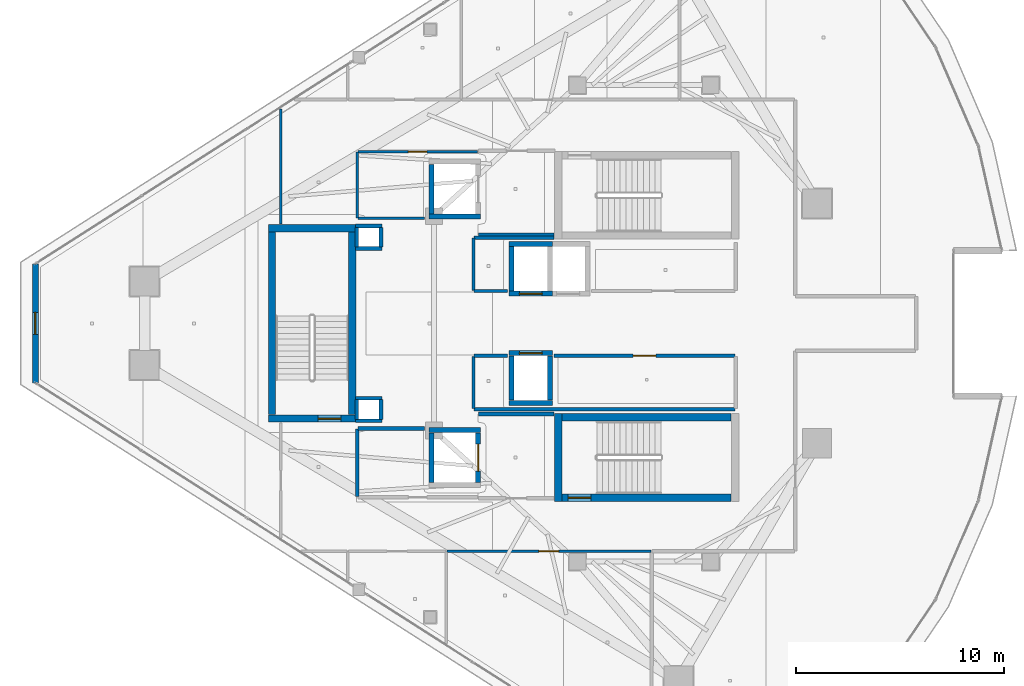
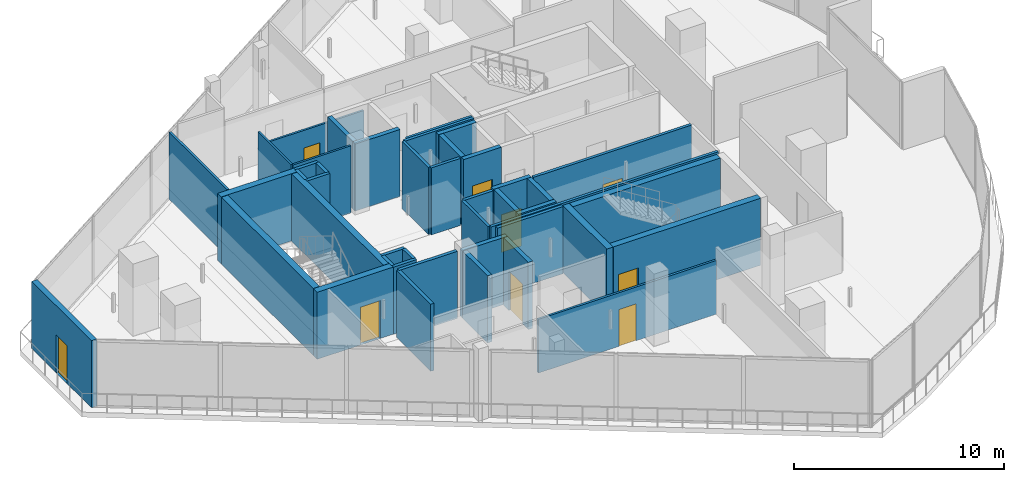
# One storey, part 18 of 25: 44 walls, 9 doors, 9 openings.
"""IFC4 building model written with IfcOpenShell, lengths in metres."""

from ifc_helpers import new_model, si_unit, direction, frame, frame_2d, origin, place, context, subcontext, project, spatial, rectangle, extrude, material, layer, layer_set, type_object, element, fill, save


model = new_model("IFC4")

# Units and contexts
model_context = context("Model", 3, precision=1e-05, world=origin(), true_north=direction((0.0, 1.0)))
body_context = subcontext(model_context, "Body", "Model", "MODEL_VIEW")
ifc_project = project(units=[si_unit("LENGTHUNIT", "METRE"), si_unit("AREAUNIT", "SQUARE_METRE"), si_unit("VOLUMEUNIT", "CUBIC_METRE"), si_unit("PLANEANGLEUNIT", "RADIAN"), si_unit("MASSUNIT", "GRAM", prefix="KILO")], contexts=[model_context])

# Site, building, storey
site_placement = place(None, origin())
site = spatial("IfcSite", under=ifc_project, at=site_placement, CompositionType="ELEMENT")
building_placement = place(site_placement, origin())
building = spatial("IfcBuilding", under=site, at=building_placement, Name="Qorvath Tower", CompositionType="ELEMENT")
storey_placement = place(building_placement, frame((0.0, 0.0, 297.60009765625)))
storey = spatial("IfcBuildingStorey", under=building, at=storey_placement, Name="L69", CompositionType="ELEMENT", Elevation=297.60009765625)

# Walls
ifc_material_1 = material(Name="Gypsum shaftliner on steel studs", Category="steel")
ifc_layer_1 = layer(ifc_material_1, 0.179931640625)
ifc_layer_set_1 = layer_set([ifc_layer_1], Name="FW-LOBBY")
wall_type_1 = type_object("IfcWallType", Name="FW-LOBBY", PredefinedType="PARTITIONING", material=ifc_layer_set_1)
for number, where, z_axis, x_axis, name in (
    (1, (-32.989990234375, 3.594970703125, 0.0), (0.0, 0.0, 1.0), (-1.0, 0.0, 0.0), "MEP Riser Shaft Enclosure Wall N-L69-S"),
    (2, (-34.260009765625, 4.675048828125, 0.0), (0.0, 0.0, 1.0), (1.0, 0.0, 0.0), "MEP Riser Shaft Enclosure Wall N-L69-N"),
):
    element("IfcWall", number, at=place(storey_placement, frame(where, z_axis=z_axis, x_axis=x_axis)), inside=storey, type_object=wall_type_1, Name=name, PredefinedType="PARTITIONING", context=body_context, shape_type="SweptSolid", body=[
        extrude(rectangle(XDim=1.27001953125, YDim=0.179931640625, at=frame_2d((0.635009765625, 0.0))), origin(), (0.0, 0.0, 1.0), 3.909912109375),
    ])
for number, where, z_axis, x_axis, name in (
    (3, (-34.205078125, 3.659912109375, 0.0), (0.0, 0.0, 1.0), (0.0, 1.0, 0.0), "MEP Riser Shaft Enclosure Wall N-L69-W"),
    (4, (-33.044921875, 4.610107421875, 0.0), (0.0, 0.0, 1.0), (0.0, -1.0, 0.0), "MEP Riser Shaft Enclosure Wall N-L69-E"),
):
    element("IfcWall", number, at=place(storey_placement, frame(where, z_axis=z_axis, x_axis=x_axis)), inside=storey, type_object=wall_type_1, Name=name, PredefinedType="PARTITIONING", context=body_context, shape_type="SweptSolid", body=[
        extrude(rectangle(XDim=0.9501953125, YDim=0.179931640625, at=frame_2d((0.47509765625, 0.0))), origin(), (0.0, 0.0, 1.0), 3.909912109375),
    ])
for number, where, z_axis, x_axis, name in (
    (5, (-32.989990234375, -4.675048828125, 0.0), (0.0, 0.0, 1.0), (-1.0, 0.0, 0.0), "MEP Riser Shaft Enclosure Wall S-L69-S"),
    (6, (-34.260009765625, -3.594970703125, 0.0), (0.0, 0.0, 1.0), (1.0, 0.0, 0.0), "MEP Riser Shaft Enclosure Wall S-L69-N"),
):
    element("IfcWall", number, at=place(storey_placement, frame(where, z_axis=z_axis, x_axis=x_axis)), inside=storey, type_object=wall_type_1, Name=name, PredefinedType="PARTITIONING", context=body_context, shape_type="SweptSolid", body=[
        extrude(rectangle(XDim=1.27001953125, YDim=0.179931640625, at=frame_2d((0.635009765625, 0.0))), origin(), (0.0, 0.0, 1.0), 3.909912109375),
    ])
for number, where, z_axis, x_axis, name in (
    (7, (-34.205078125, -4.610107421875, 0.0), (0.0, 0.0, 1.0), (0.0, 1.0, 0.0), "MEP Riser Shaft Enclosure Wall S-L69-W"),
    (8, (-33.044921875, -3.659912109375, 0.0), (0.0, 0.0, 1.0), (0.0, -1.0, 0.0), "MEP Riser Shaft Enclosure Wall S-L69-E"),
):
    element("IfcWall", number, at=place(storey_placement, frame(where, z_axis=z_axis, x_axis=x_axis)), inside=storey, type_object=wall_type_1, Name=name, PredefinedType="PARTITIONING", context=body_context, shape_type="SweptSolid", body=[
        extrude(rectangle(XDim=0.9501953125, YDim=0.179931640625, at=frame_2d((0.47509765625, 0.0))), origin(), (0.0, 0.0, 1.0), 3.909912109375),
    ])
for number, where, z_axis, x_axis, name in (
    (9, (-28.35498046875, 4.25, 0.0), (0.0, 0.0, 1.0), (1.0, 0.0, 0.0), "Interior Partition IW-T1-L69-001"),
    (10, (-24.73291015625, -4.35009765625, 0.0), (0.0, 0.0, 1.0), (-1.0, 0.0, 0.0), "Interior Partition IW-T1-L69-004"),
):
    element("IfcWall", number, at=place(storey_placement, frame(where, z_axis=z_axis, x_axis=x_axis)), inside=storey, type_object=wall_type_1, Name=name, PredefinedType="PARTITIONING", context=body_context, shape_type="SweptSolid", body=[
        extrude(rectangle(XDim=3.6220703125, YDim=0.179931640625, at=frame_2d((1.81103515625, 0.0))), origin(), (0.0, 0.0, 1.0), 3.909912109375),
    ])
wall_1_placement = place(storey_placement, frame((-30.965087890625, -5.050048828125, 0.0), z_axis=(0.0, 0.0, 1.0), x_axis=(-1.0, 0.0, 0.0)))
element("IfcWall", 11, at=wall_1_placement, inside=storey, type_object=wall_type_1, Name="Interior Partition IW-T1-L69-018", PredefinedType="PARTITIONING", context=body_context, shape_type="SweptSolid", body=[
    extrude(rectangle(XDim=3.189697265625, YDim=0.179931640625, at=frame_2d((1.5947265625, 0.0))), origin(), (0.0, 0.0, 1.0), 3.909912109375),
])
wall_2_placement = place(storey_placement, frame((-34.179931640625, -5.074951171875, 0.0), z_axis=(0.0, 0.0, 1.0), x_axis=(0.0, -1.0, 0.0)))
element("IfcWall", 12, at=wall_2_placement, inside=storey, type_object=wall_type_1, Name="Interior Partition IW-T1-L69-019", PredefinedType="PARTITIONING", context=body_context, shape_type="SweptSolid", body=[
    extrude(rectangle(XDim=3.250244140625, YDim=0.179931640625, at=frame_2d((1.625, 0.0))), origin(), (0.0, 0.0, 1.0), 3.909912109375),
])
ifc_material_2 = material(Name="Double acoustic gypsum board on steel studs", Category="steel")
ifc_layer_2 = layer(ifc_material_2, 0.159912109375)
ifc_layer_set_2 = layer_set([ifc_layer_2], Name="IW-ACOUSTIC-160")
wall_type_2 = type_object("IfcWallType", Name="IW-ACOUSTIC-160", PredefinedType="PARTITIONING", material=ifc_layer_set_2)
wall_3_placement = place(storey_placement, frame((-28.60009765625, 4.09521484375, 0.0), z_axis=(0.0, 0.0, 1.0), x_axis=(0.0, -1.0, 0.0)))
element("IfcWall", 13, at=wall_3_placement, inside=storey, type_object=wall_type_2, Name="Interior Partition IW-T1-L69-008", PredefinedType="PARTITIONING", context=body_context, shape_type="SweptSolid", body=[
    extrude(rectangle(XDim=2.510009765625, YDim=0.159912109375, at=frame_2d((1.2548828125, 0.0))), origin(), (0.0, 0.0, 1.0), 3.909912109375),
])
wall_4_placement = place(storey_placement, frame((-28.5751953125, 1.56005859375, 0.0), z_axis=(0.0, 0.0, 1.0), x_axis=(1.0, 0.0, 0.0)))
element("IfcWall", 14, at=wall_4_placement, inside=storey, type_object=wall_type_2, Name="Interior Partition IW-T1-L69-009", PredefinedType="PARTITIONING", context=body_context, shape_type="SweptSolid", body=[
    extrude(rectangle(XDim=1.609130859375, YDim=0.159912109375, at=frame_2d((0.8046875, 0.0))), origin(), (0.0, 0.0, 1.0), 3.909912109375),
])
wall_5_placement = place(storey_placement, frame((-24.73291015625, 4.1201171875, 0.0), z_axis=(0.0, 0.0, 1.0), x_axis=(-1.0, 0.0, 0.0)))
element("IfcWall", 15, at=wall_5_placement, inside=storey, type_object=wall_type_2, Name="Interior Partition IW-T1-L69-012", PredefinedType="PARTITIONING", context=body_context, shape_type="SweptSolid", body=[
    extrude(rectangle(XDim=3.84228515625, YDim=0.159912109375, at=frame_2d((1.921142578125, 0.0))), origin(), (0.0, 0.0, 1.0), 3.909912109375),
])
wall_6_placement = place(storey_placement, frame((-28.60009765625, -1.585205078125, 0.0), z_axis=(0.0, 0.0, 1.0), x_axis=(0.0, -1.0, 0.0)))
element("IfcWall", 16, at=wall_6_placement, inside=storey, type_object=wall_type_2, Name="Interior Partition IW-T1-L69-013", PredefinedType="PARTITIONING", context=body_context, shape_type="SweptSolid", body=[
    extrude(rectangle(XDim=2.510009765625, YDim=0.159912109375, at=frame_2d((1.2548828125, 0.0))), origin(), (0.0, 0.0, 1.0), 3.909912109375),
])
wall_7_placement = place(storey_placement, frame((-28.5751953125, -4.1201171875, 0.0), z_axis=(0.0, 0.0, 1.0), x_axis=(1.0, 0.0, 0.0)))
element("IfcWall", 17, at=wall_7_placement, inside=storey, type_object=wall_type_2, Name="Interior Partition IW-T1-L69-014", PredefinedType="PARTITIONING", context=body_context, shape_type="SweptSolid", body=[
    extrude(rectangle(XDim=12.55029296875, YDim=0.159912109375, at=frame_2d((6.275146484375, 0.0))), origin(), (0.0, 0.0, 1.0), 3.909912109375),
])

# Wall, opening, door
wall_8_placement = place(storey_placement, frame((-16.02490234375, -1.56005859375, 0.0), z_axis=(0.0, 0.0, 1.0), x_axis=(-1.0, 0.0, 0.0)))
wall_8 = element("IfcWall", 18, at=wall_8_placement, inside=storey, type_object=wall_type_2, Name="Interior Partition IW-T1-L69-016", PredefinedType="PARTITIONING", context=body_context, shape_type="SweptSolid", body=[
    extrude(rectangle(XDim=8.708984375, YDim=0.159912109375, at=frame_2d((4.3544921875, 0.0))), origin(), (0.0, 0.0, 1.0), 3.909912109375),
])
opening_1_placement = place(wall_8_placement, frame((3.804443359375, 0.0, 0.0)))
opening_1 = element("IfcOpeningElement", 19, at=opening_1_placement, cuts=wall_8, Name="Opening D-T1-L69-05", PredefinedType="OPENING", context=body_context, shape_type="SweptSolid", body=[
    extrude(rectangle(XDim=1.10009765625, YDim=2.14990234375, at=frame_2d((0.550048828125, 1.074951171875))), frame((0.0, 0.08984375, 0.0), z_axis=(0.0, -1.0, 0.0), x_axis=(1.0, 0.0, 0.0)), (0.0, 0.0, 1.0), 0.179931640625),
])
ifc_material_3 = material(Name="Anodised aluminium acoustic framed glass", Category="aluminium")
door_type_1 = type_object("IfcDoorType", Name="D-03", OperationType="NOTDEFINED", PredefinedType="DOOR", material=ifc_material_3)
door_1_placement = place(opening_1_placement, origin())
door_1 = element("IfcDoor", 20, at=door_1_placement, inside=storey, type_object=door_type_1, Name="L69-RCS South Executive Boardroom Door D-T1-L69-05", OperationType="SINGLE_SWING_RIGHT", OverallHeight=2.14990234375, OverallWidth=1.10009765625, PredefinedType="DOOR", context=body_context, shape_type="SweptSolid", body=[
    extrude(rectangle(XDim=1.10009765625, YDim=2.14990234375, at=frame_2d((0.550048828125, 1.074951171875))), frame((0.0, 0.02490234375, 0.0), z_axis=(0.0, -1.0, 0.0), x_axis=(1.0, 0.0, 0.0)), (0.0, 0.0, 1.0), 0.050048828125),
])
fill(opening_1, door_1)

# Walls
wall_9_placement = place(storey_placement, frame((-26.966064453125, -1.56005859375, 0.0), z_axis=(0.0, 0.0, 1.0), x_axis=(-1.0, 0.0, 0.0)))
element("IfcWall", 21, at=wall_9_placement, inside=storey, type_object=wall_type_2, Name="Interior Partition IW-T1-L69-017", PredefinedType="PARTITIONING", context=body_context, shape_type="SweptSolid", body=[
    extrude(rectangle(XDim=1.609130859375, YDim=0.159912109375, at=frame_2d((0.8046875, 0.0))), origin(), (0.0, 0.0, 1.0), 3.909912109375),
])
ifc_material_4 = material(Name="Gypsum board on metal studs with mineral wool", Category="gypsum")
ifc_layer_3 = layer(ifc_material_4, 0.125)
ifc_layer_set_3 = layer_set([ifc_layer_3], Name="IW-PART-125")
wall_type_3 = type_object("IfcWallType", Name="IW-PART-125", PredefinedType="PARTITIONING", material=ifc_layer_set_3)
wall_10_placement = place(storey_placement, frame((-37.85791015625, 4.783203125, 0.0), z_axis=(0.0, 0.0, 1.0), x_axis=(0.0, 1.0, 0.0)))
element("IfcWall", 22, at=wall_10_placement, inside=storey, type_object=wall_type_3, Name="Interior Partition IW-T1-L69-024", PredefinedType="PARTITIONING", context=body_context, shape_type="SweptSolid", body=[
    extrude(rectangle(XDim=5.5302734375, YDim=0.125, at=frame_2d((2.76513671875, 0.0))), origin(), (0.0, 0.0, 1.0), 3.909912109375),
])

# Wall, opening, door
wall_11_placement = place(storey_placement, frame((-20.072998046875, -10.9580078125, 0.0), z_axis=(0.0, 0.0, 1.0), x_axis=(-1.0, 0.0, 0.0)))
wall_11 = element("IfcWall", 23, at=wall_11_placement, inside=storey, type_object=wall_type_3, Name="Interior Partition IW-T1-L69-042", PredefinedType="PARTITIONING", context=body_context, shape_type="SweptSolid", body=[
    extrude(rectangle(XDim=9.810791015625, YDim=0.125, at=frame_2d((4.9052734375, 0.0))), origin(), (0.0, 0.0, 1.0), 3.1298828125),
])
opening_2_placement = place(wall_11_placement, frame((4.430419921875, 0.0, 0.0)))
opening_2 = element("IfcOpeningElement", 24, at=opening_2_placement, cuts=wall_11, Name="Opening D-T1-L69-12", PredefinedType="OPENING", context=body_context, shape_type="SweptSolid", body=[
    extrude(rectangle(XDim=0.949951171875, YDim=2.14990234375, at=frame_2d((0.47509765625, 1.074951171875))), frame((0.0, 0.072509765625, 0.0), z_axis=(0.0, -1.0, 0.0), x_axis=(1.0, 0.0, 0.0)), (0.0, 0.0, 1.0), 0.14501953125),
])
ifc_material_5 = material(Name="Solid-core American white oak veneer", Category="wood")
door_type_2 = type_object("IfcDoorType", Name="D-01", OperationType="NOTDEFINED", PredefinedType="DOOR", material=ifc_material_5)
door_2_placement = place(opening_2_placement, origin())
door_2 = element("IfcDoor", 25, at=door_2_placement, inside=storey, type_object=door_type_2, Name="L69-06 Executive Support Office Door D-T1-L69-12", OperationType="SINGLE_SWING_LEFT", OverallHeight=2.14990234375, OverallWidth=0.949951171875, PredefinedType="DOOR", context=body_context, shape_type="SweptSolid", body=[
    extrude(rectangle(XDim=0.949951171875, YDim=2.14990234375, at=frame_2d((0.47509765625, 1.074951171875))), frame((0.0, 0.02490234375, 0.0), z_axis=(0.0, -1.0, 0.0), x_axis=(1.0, 0.0, 0.0)), (0.0, 0.0, 1.0), 0.050048828125),
])
fill(opening_2, door_2)

# Walls
ifc_material_6 = material(Name="Moisture-resistant cement board on metal studs", Category="gypsum")
ifc_layer_4 = layer(ifc_material_6, 0.110107421875)
ifc_layer_set_4 = layer_set([ifc_layer_4], Name="IW-WC-110")
wall_type_4 = type_object("IfcWallType", Name="IW-WC-110", PredefinedType="PARTITIONING", material=ifc_layer_set_4)
wall_12_placement = place(storey_placement, frame((-34.179931640625, 8.22509765625, 0.0), z_axis=(0.0, 0.0, 1.0), x_axis=(0.0, -1.0, 0.0)))
element("IfcWall", 26, at=wall_12_placement, inside=storey, type_object=wall_type_4, Name="Interior Partition IW-T1-L69-005", PredefinedType="PARTITIONING", context=body_context, shape_type="SweptSolid", body=[
    extrude(rectangle(XDim=3.150146484375, YDim=0.110107421875, at=frame_2d((1.5751953125, 0.0))), origin(), (0.0, 0.0, 1.0), 3.909912109375),
])
wall_13_placement = place(storey_placement, frame((-34.15478515625, 5.050048828125, 0.0), z_axis=(0.0, 0.0, 1.0), x_axis=(1.0, 0.0, 0.0)))
element("IfcWall", 27, at=wall_13_placement, inside=storey, type_object=wall_type_4, Name="Interior Partition IW-T1-L69-006", PredefinedType="PARTITIONING", context=body_context, shape_type="SweptSolid", body=[
    extrude(rectangle(XDim=3.189697265625, YDim=0.110107421875, at=frame_2d((1.5947265625, 0.0))), origin(), (0.0, 0.0, 1.0), 3.909912109375),
])

# Wall, opening, door
wall_14_placement = place(storey_placement, frame((-28.412841796875, 8.25, 0.0), z_axis=(0.0, 0.0, 1.0), x_axis=(-1.0, 0.0, 0.0)))
wall_14 = element("IfcWall", 28, at=wall_14_placement, inside=storey, type_object=wall_type_4, Name="Interior Partition IW-T1-L69-007", PredefinedType="PARTITIONING", context=body_context, shape_type="SweptSolid", body=[
    extrude(rectangle(XDim=5.741943359375, YDim=0.110107421875, at=frame_2d((2.87109375, 0.0))), origin(), (0.0, 0.0, 1.0), 3.1298828125),
])
opening_3_placement = place(wall_14_placement, frame((2.430908203125, 0.0, 0.0)))
opening_3 = element("IfcOpeningElement", 29, at=opening_3_placement, cuts=wall_14, Name="Opening D-T1-L69-03", PredefinedType="OPENING", context=body_context, shape_type="SweptSolid", body=[
    extrude(rectangle(XDim=0.8798828125, YDim=2.10009765625, at=frame_2d((0.43994140625, 1.050048828125))), frame((0.0, 0.06494140625, 0.0), z_axis=(0.0, -1.0, 0.0), x_axis=(1.0, 0.0, 0.0)), (0.0, 0.0, 1.0), 0.130126953125),
])
ifc_material_7 = material(Name="Solid-core oak with acoustic drop seal", Category="wood")
door_type_3 = type_object("IfcDoorType", Name="D-02", OperationType="NOTDEFINED", PredefinedType="DOOR", material=ifc_material_7)
door_3_placement = place(opening_3_placement, origin())
door_3 = element("IfcDoor", 30, at=door_3_placement, inside=storey, type_object=door_type_3, Name="Accessible WC North L69 Door D-T1-L69-03", OperationType="SINGLE_SWING_RIGHT", OverallHeight=2.10009765625, OverallWidth=0.8798828125, PredefinedType="DOOR", context=body_context, shape_type="SweptSolid", body=[
    extrude(rectangle(XDim=0.8798828125, YDim=2.10009765625, at=frame_2d((0.43994140625, 1.050048828125))), frame((0.0, 0.02490234375, 0.0), z_axis=(0.0, -1.0, 0.0), x_axis=(1.0, 0.0, 0.0)), (0.0, 0.0, 1.0), 0.050048828125),
])
fill(opening_3, door_3)

# Walls
ifc_material_8 = material(Name="Concrete C60/75", Category="concrete")
ifc_layer_5 = layer(ifc_material_8, 0.260009765625)
ifc_layer_set_5 = layer_set([ifc_layer_5], Name="SW-SHAFT")
wall_type_5 = type_object("IfcWallType", Name="SW-SHAFT", PredefinedType="SHEAR", material=ifc_layer_set_5)
wall_15_placement = place(storey_placement, frame((-28.260009765625, 5.1298828125, 0.0), z_axis=(0.0, 0.0, 1.0), x_axis=(-1.0, 0.0, 0.0)))
element("IfcWall", 31, at=wall_15_placement, inside=storey, type_object=wall_type_5, Name="Hoistway Wall FSAE-1 L69 S", PredefinedType="SHEAR", context=body_context, shape_type="SweptSolid", body=[
    extrude(rectangle(XDim=2.47998046875, YDim=0.239990234375, at=frame_2d((1.239990234375, 0.0))), origin(), (0.0, 0.0, 1.0), 3.909912109375),
])
wall_16_placement = place(storey_placement, frame((-30.6201171875, 5.261962890625, 0.0), z_axis=(0.0, 0.0, 1.0), x_axis=(0.0, 1.0, 0.0)))
element("IfcWall", 32, at=wall_16_placement, inside=storey, type_object=wall_type_5, Name="Hoistway Wall FSAE-1 L69 W", PredefinedType="SHEAR", context=body_context, shape_type="SweptSolid", body=[
    extrude(rectangle(XDim=2.3759765625, YDim=0.239990234375, at=frame_2d((1.18798828125, 0.0))), origin(), (0.0, 0.0, 1.0), 3.909912109375),
])
wall_17_placement = place(storey_placement, frame((-30.739990234375, -5.1298828125, 0.0), z_axis=(0.0, 0.0, 1.0), x_axis=(1.0, 0.0, 0.0)))
element("IfcWall", 33, at=wall_17_placement, inside=storey, type_object=wall_type_5, Name="Hoistway Wall FSAE-2 L69 N", PredefinedType="SHEAR", context=body_context, shape_type="SweptSolid", body=[
    extrude(rectangle(XDim=2.47998046875, YDim=0.239990234375, at=frame_2d((1.239990234375, 0.0))), origin(), (0.0, 0.0, 1.0), 3.909912109375),
])
wall_18_placement = place(storey_placement, frame((-30.6201171875, -7.637939453125, 0.0), z_axis=(0.0, 0.0, 1.0), x_axis=(0.0, 1.0, 0.0)))
element("IfcWall", 34, at=wall_18_placement, inside=storey, type_object=wall_type_5, Name="Hoistway Wall FSAE-2 L69 W", PredefinedType="SHEAR", context=body_context, shape_type="SweptSolid", body=[
    extrude(rectangle(XDim=2.3759765625, YDim=0.239990234375, at=frame_2d((1.18798828125, 0.0))), origin(), (0.0, 0.0, 1.0), 3.909912109375),
])

# Wall, opening, door
wall_19_placement = place(storey_placement, frame((-28.3798828125, -5.261962890625, 0.0), z_axis=(0.0, 0.0, 1.0), x_axis=(0.0, -1.0, 0.0)))
wall_19 = element("IfcWall", 35, at=wall_19_placement, inside=storey, type_object=wall_type_5, Name="Hoistway Wall FSAE-2 L69 E", PredefinedType="SHEAR", context=body_context, shape_type="SweptSolid", body=[
    extrude(rectangle(XDim=2.3759765625, YDim=0.239990234375, at=frame_2d((1.18798828125, 0.0))), origin(), (0.0, 0.0, 1.0), 3.909912109375),
])
opening_4_placement = place(wall_19_placement, frame((0.5380859375, 0.0, 0.0)))
opening_4 = element("IfcOpeningElement", 36, at=opening_4_placement, cuts=wall_19, Name="Opening LD-FSAE-2-L69", PredefinedType="OPENING", context=body_context, shape_type="SweptSolid", body=[
    extrude(rectangle(XDim=1.300048828125, YDim=2.300048828125, at=frame_2d((0.64990234375, 1.14990234375))), frame((0.0, 0.1298828125, 0.0), z_axis=(0.0, -1.0, 0.0), x_axis=(1.0, 0.0, 0.0)), (0.0, 0.0, 1.0), 0.260009765625),
])
ifc_material_9 = material(Name="Brushed stainless steel AISI 316", Category="steel")
door_type_4 = type_object("IfcDoorType", Name="LD-02", OperationType="NOTDEFINED", PredefinedType="DOOR", material=ifc_material_9)
door_4_placement = place(opening_4_placement, origin())
door_4 = element("IfcDoor", 37, at=door_4_placement, inside=storey, type_object=door_type_4, Name="Elevator Landing Sliding Door LD-FSAE-2-L69", OperationType="DOUBLE_DOOR_SLIDING", OverallHeight=2.300048828125, OverallWidth=1.300048828125, PredefinedType="DOOR", context=body_context, shape_type="SweptSolid", body=[
    extrude(rectangle(XDim=1.300048828125, YDim=2.300048828125, at=frame_2d((0.64990234375, 1.14990234375))), frame((0.0, 0.02490234375, 0.0), z_axis=(0.0, -1.0, 0.0), x_axis=(1.0, 0.0, 0.0)), (0.0, 0.0, 1.0), 0.050048828125),
])
fill(opening_4, door_4)

wall_20_placement = place(storey_placement, frame((-24.81005859375, 1.429931640625, 0.0), z_axis=(0.0, 0.0, 1.0), x_axis=(-1.0, 0.0, 0.0)))
wall_20 = element("IfcWall", 38, at=wall_20_placement, inside=storey, type_object=wall_type_5, Name="Hoistway Wall PH-1 L69 S", PredefinedType="SHEAR", context=body_context, shape_type="SweptSolid", body=[
    extrude(rectangle(XDim=2.079833984375, YDim=0.239990234375, at=frame_2d((1.0400390625, 0.0))), origin(), (0.0, 0.0, 1.0), 3.909912109375),
])
opening_5_placement = place(wall_20_placement, frame((0.489990234375, 0.0, 0.0)))
opening_5 = element("IfcOpeningElement", 39, at=opening_5_placement, cuts=wall_20, Name="Opening LD-PH-1-L69", PredefinedType="OPENING", context=body_context, shape_type="SweptSolid", body=[
    extrude(rectangle(XDim=1.10009765625, YDim=2.199951171875, at=frame_2d((0.550048828125, 1.10009765625))), frame((0.0, 0.1298828125, 0.0), z_axis=(0.0, -1.0, 0.0), x_axis=(1.0, 0.0, 0.0)), (0.0, 0.0, 1.0), 0.260009765625),
])
ifc_material_10 = material(Name="Brushed stainless steel AISI 316", Category="steel")
door_type_5 = type_object("IfcDoorType", Name="LD-01", OperationType="NOTDEFINED", PredefinedType="DOOR", material=ifc_material_10)
door_5_placement = place(opening_5_placement, origin())
door_5 = element("IfcDoor", 40, at=door_5_placement, inside=storey, type_object=door_type_5, Name="Elevator Landing Sliding Door LD-PH-1-L69", OperationType="DOUBLE_DOOR_SLIDING", OverallHeight=2.199951171875, OverallWidth=1.10009765625, PredefinedType="DOOR", context=body_context, shape_type="SweptSolid", body=[
    extrude(rectangle(XDim=1.10009765625, YDim=2.199951171875, at=frame_2d((0.550048828125, 1.10009765625))), frame((0.0, 0.02490234375, 0.0), z_axis=(0.0, -1.0, 0.0), x_axis=(1.0, 0.0, 0.0)), (0.0, 0.0, 1.0), 0.050048828125),
])
fill(opening_5, door_5)

# Walls
wall_21_placement = place(storey_placement, frame((-26.889892578125, 3.820068359375, 0.0), z_axis=(0.0, 0.0, 1.0), x_axis=(1.0, 0.0, 0.0)))
element("IfcWall", 41, at=wall_21_placement, inside=storey, type_object=wall_type_5, Name="Hoistway Wall PH-1 L69 N", PredefinedType="SHEAR", context=body_context, shape_type="SweptSolid", body=[
    extrude(rectangle(XDim=2.079833984375, YDim=0.239990234375, at=frame_2d((1.0400390625, 0.0))), origin(), (0.0, 0.0, 1.0), 3.909912109375),
])
wall_22_placement = place(storey_placement, frame((-26.77001953125, 1.56201171875, 0.0), z_axis=(0.0, 0.0, 1.0), x_axis=(0.0, 1.0, 0.0)))
element("IfcWall", 42, at=wall_22_placement, inside=storey, type_object=wall_type_5, Name="Hoistway Wall PH-1 L69 W", PredefinedType="SHEAR", context=body_context, shape_type="SweptSolid", body=[
    extrude(rectangle(XDim=2.1259765625, YDim=0.239990234375, at=frame_2d((1.06298828125, 0.0))), origin(), (0.0, 0.0, 1.0), 3.909912109375),
])
wall_23_placement = place(storey_placement, frame((-24.81005859375, -3.820068359375, 0.0), z_axis=(0.0, 0.0, 1.0), x_axis=(-1.0, 0.0, 0.0)))
element("IfcWall", 43, at=wall_23_placement, inside=storey, type_object=wall_type_5, Name="Hoistway Wall PH-3 L69 S", PredefinedType="SHEAR", context=body_context, shape_type="SweptSolid", body=[
    extrude(rectangle(XDim=2.079833984375, YDim=0.239990234375, at=frame_2d((1.0400390625, 0.0))), origin(), (0.0, 0.0, 1.0), 3.909912109375),
])

# Wall, opening, door
wall_24_placement = place(storey_placement, frame((-26.889892578125, -1.429931640625, 0.0), z_axis=(0.0, 0.0, 1.0), x_axis=(1.0, 0.0, 0.0)))
wall_24 = element("IfcWall", 44, at=wall_24_placement, inside=storey, type_object=wall_type_5, Name="Hoistway Wall PH-3 L69 N", PredefinedType="SHEAR", context=body_context, shape_type="SweptSolid", body=[
    extrude(rectangle(XDim=2.079833984375, YDim=0.239990234375, at=frame_2d((1.0400390625, 0.0))), origin(), (0.0, 0.0, 1.0), 3.909912109375),
])
opening_6_placement = place(wall_24_placement, frame((0.48974609375, 0.0, 0.0)))
opening_6 = element("IfcOpeningElement", 45, at=opening_6_placement, cuts=wall_24, Name="Opening LD-PH-3-L69", PredefinedType="OPENING", context=body_context, shape_type="SweptSolid", body=[
    extrude(rectangle(XDim=1.10009765625, YDim=2.199951171875, at=frame_2d((0.550048828125, 1.10009765625))), frame((0.0, 0.1298828125, 0.0), z_axis=(0.0, -1.0, 0.0), x_axis=(1.0, 0.0, 0.0)), (0.0, 0.0, 1.0), 0.260009765625),
])
door_6_placement = place(opening_6_placement, origin())
door_6 = element("IfcDoor", 46, at=door_6_placement, inside=storey, type_object=door_type_5, Name="Elevator Landing Sliding Door LD-PH-3-L69", OperationType="DOUBLE_DOOR_SLIDING", OverallHeight=2.199951171875, OverallWidth=1.10009765625, PredefinedType="DOOR", context=body_context, shape_type="SweptSolid", body=[
    extrude(rectangle(XDim=1.10009765625, YDim=2.199951171875, at=frame_2d((0.550048828125, 1.10009765625))), frame((0.0, 0.02490234375, 0.0), z_axis=(0.0, -1.0, 0.0), x_axis=(1.0, 0.0, 0.0)), (0.0, 0.0, 1.0), 0.050048828125),
])
fill(opening_6, door_6)

# Walls
for number, where, z_axis, x_axis, name in (
    (47, (-26.77001953125, -3.68798828125, 0.0), (0.0, 0.0, 1.0), (0.0, 1.0, 0.0), "Hoistway Wall PH-3 L69 W"),
    (48, (-24.929931640625, -1.56201171875, 0.0), (0.0, 0.0, 1.0), (0.0, -1.0, 0.0), "Hoistway Wall PH-3 L69 E"),
):
    element("IfcWall", number, at=place(storey_placement, frame(where, z_axis=z_axis, x_axis=x_axis)), inside=storey, type_object=wall_type_5, Name=name, PredefinedType="SHEAR", context=body_context, shape_type="SweptSolid", body=[
        extrude(rectangle(XDim=2.1259765625, YDim=0.239990234375, at=frame_2d((1.06298828125, 0.0))), origin(), (0.0, 0.0, 1.0), 3.909912109375),
    ])
ifc_material_11 = material(Name="Concrete C60/75", Category="concrete")
ifc_layer_6 = layer(ifc_material_11, 0.35009765625)
ifc_layer_set_6 = layer_set([ifc_layer_6], Name="SW-STAIR")
wall_type_6 = type_object("IfcWallType", Name="SW-STAIR", PredefinedType="SHEAR", material=ifc_layer_set_6)
wall_25_placement = place(storey_placement, frame((-24.52490234375, -4.340087890625, 0.0), z_axis=(0.0, 0.0, 1.0), x_axis=(0.0, -1.0, 0.0)))
element("IfcWall", 49, at=wall_25_placement, inside=storey, type_object=wall_type_6, Name="Stair TS2 Shear Wall L69 NEAR", PredefinedType="SHEAR", context=body_context, shape_type="SweptSolid", body=[
    extrude(rectangle(XDim=4.2099609375, YDim=0.35009765625, at=frame_2d((2.10498046875, 0.0))), origin(), (0.0, 0.0, 1.0), 3.909912109375),
])

# Wall, opening, door
wall_26_placement = place(storey_placement, frame((-24.3349609375, -8.375, 0.0), z_axis=(0.0, 0.0, 1.0), x_axis=(1.0, 0.0, 0.0)))
wall_26 = element("IfcWall", 50, at=wall_26_placement, inside=storey, type_object=wall_type_6, Name="Stair TS2 Shear Wall L69 LEFT", PredefinedType="SHEAR", context=body_context, shape_type="SweptSolid", body=[
    extrude(rectangle(XDim=8.119873046875, YDim=0.35009765625, at=frame_2d((4.06005859375, 0.0))), origin(), (0.0, 0.0, 1.0), 3.909912109375),
])
opening_7_placement = place(wall_26_placement, frame((0.280029296875, 0.0, 0.0)))
opening_7 = element("IfcOpeningElement", 51, at=opening_7_placement, cuts=wall_26, Name="Opening D-TS2-L69", PredefinedType="OPENING", context=body_context, shape_type="SweptSolid", body=[
    extrude(rectangle(XDim=1.10009765625, YDim=2.199951171875, at=frame_2d((0.550048828125, 1.10009765625))), frame((0.0, 0.18505859375, 0.0), z_axis=(0.0, -1.0, 0.0), x_axis=(1.0, 0.0, 0.0)), (0.0, 0.0, 1.0), 0.3701171875),
])
ifc_material_12 = material(Name="Painted galvanised hollow metal", Category="steel")
door_type_6 = type_object("IfcDoorType", Name="FD-90", OperationType="NOTDEFINED", PredefinedType="DOOR", material=ifc_material_12)
door_7_placement = place(opening_7_placement, origin())
door_7 = element("IfcDoor", 52, at=door_7_placement, inside=storey, type_object=door_type_6, Name="Stair TS2 Fire Door L69", OperationType="SINGLE_SWING_RIGHT", OverallHeight=2.199951171875, OverallWidth=1.10009765625, PredefinedType="DOOR", context=body_context, shape_type="SweptSolid", body=[
    extrude(rectangle(XDim=1.10009765625, YDim=2.199951171875, at=frame_2d((0.550048828125, 1.10009765625))), frame((0.0, 0.02490234375, 0.0), z_axis=(0.0, -1.0, 0.0), x_axis=(1.0, 0.0, 0.0)), (0.0, 0.0, 1.0), 0.050048828125),
])
fill(opening_7, door_7)

# Wall
wall_27_placement = place(storey_placement, frame((-16.215087890625, -4.514892578125, 0.0), z_axis=(0.0, 0.0, 1.0), x_axis=(-1.0, 0.0, 0.0)))
element("IfcWall", 53, at=wall_27_placement, inside=storey, type_object=wall_type_6, Name="Stair TS2 Shear Wall L69 RIGHT", PredefinedType="SHEAR", context=body_context, shape_type="SweptSolid", body=[
    extrude(rectangle(XDim=8.119873046875, YDim=0.35009765625, at=frame_2d((4.06005859375, 0.0))), origin(), (0.0, 0.0, 1.0), 3.909912109375),
])

# Wall, opening, door
wall_28_placement = place(storey_placement, frame((-38.4599609375, -4.574951171875, 0.0), z_axis=(0.0, 0.0, 1.0), x_axis=(1.0, 0.0, 0.0)))
wall_28 = element("IfcWall", 54, at=wall_28_placement, inside=storey, type_object=wall_type_6, Name="Stair TS3 Shear Wall L69 NEAR", PredefinedType="SHEAR", context=body_context, shape_type="SweptSolid", body=[
    extrude(rectangle(XDim=4.2099609375, YDim=0.35009765625, at=frame_2d((2.10498046875, 0.0))), origin(), (0.0, 0.0, 1.0), 3.909912109375),
])
opening_8_placement = place(wall_28_placement, frame((2.389892578125, 0.0, 0.0)))
opening_8 = element("IfcOpeningElement", 55, at=opening_8_placement, cuts=wall_28, Name="Opening D-TS3-L69", PredefinedType="OPENING", context=body_context, shape_type="SweptSolid", body=[
    extrude(rectangle(XDim=1.10009765625, YDim=2.199951171875, at=frame_2d((0.550048828125, 1.10009765625))), frame((0.0, 0.18505859375, 0.0), z_axis=(0.0, -1.0, 0.0), x_axis=(1.0, 0.0, 0.0)), (0.0, 0.0, 1.0), 0.3701171875),
])
door_8_placement = place(opening_8_placement, origin())
door_8 = element("IfcDoor", 56, at=door_8_placement, inside=storey, type_object=door_type_6, Name="Stair TS3 Fire Door L69", OperationType="SINGLE_SWING_RIGHT", OverallHeight=2.199951171875, OverallWidth=1.10009765625, PredefinedType="DOOR", context=body_context, shape_type="SweptSolid", body=[
    extrude(rectangle(XDim=1.10009765625, YDim=2.199951171875, at=frame_2d((0.550048828125, 1.10009765625))), frame((0.0, 0.02490234375, 0.0), z_axis=(0.0, -1.0, 0.0), x_axis=(1.0, 0.0, 0.0)), (0.0, 0.0, 1.0), 0.050048828125),
])
fill(opening_8, door_8)

# Walls
wall_29_placement = place(storey_placement, frame((-34.25, 4.574951171875, 0.0), z_axis=(0.0, 0.0, 1.0), x_axis=(-1.0, 0.0, 0.0)))
element("IfcWall", 57, at=wall_29_placement, inside=storey, type_object=wall_type_6, Name="Stair TS3 Shear Wall L69 FAR", PredefinedType="SHEAR", context=body_context, shape_type="SweptSolid", body=[
    extrude(rectangle(XDim=4.2099609375, YDim=0.35009765625, at=frame_2d((2.10498046875, 0.0))), origin(), (0.0, 0.0, 1.0), 3.909912109375),
])
for number, where, z_axis, x_axis, name in (
    (58, (-34.425048828125, -4.385009765625, 0.0), (0.0, 0.0, 1.0), (0.0, 1.0, 0.0), "Stair TS3 Shear Wall L69 LEFT"),
    (59, (-38.284912109375, 4.385009765625, 0.0), (0.0, 0.0, 1.0), (0.0, -1.0, 0.0), "Stair TS3 Shear Wall L69 RIGHT"),
):
    element("IfcWall", number, at=place(storey_placement, frame(where, z_axis=z_axis, x_axis=x_axis)), inside=storey, type_object=wall_type_6, Name=name, PredefinedType="SHEAR", context=body_context, shape_type="SweptSolid", body=[
        extrude(rectangle(XDim=8.77001953125, YDim=0.35009765625, at=frame_2d((4.385009765625, 0.0))), origin(), (0.0, 0.0, 1.0), 3.909912109375),
    ])

# Wall, opening, door
ifc_material_13 = material(Name="Precast concrete C45/55", Category="concrete")
ifc_layer_7 = layer(ifc_material_13, 0.300048828125)
ifc_layer_set_7 = layer_set([ifc_layer_7], Name="WL-EW-LOG-300")
wall_type_7 = type_object("IfcWallType", Name="WL-EW-LOG-300", PredefinedType="SOLIDWALL", material=ifc_layer_set_7)
wall_30_placement = place(storey_placement, frame((-49.6533203125, -2.854736328125, 0.0), z_axis=(0.0, 0.0, 1.0), x_axis=(0.0, 1.0, 0.0)))
wall_30 = element("IfcWall", 60, at=wall_30_placement, inside=storey, type_object=wall_type_7, Name="Tower Precast Loggia Wall L69-1.1", PredefinedType="SOLIDWALL", context=body_context, shape_type="SweptSolid", body=[
    extrude(rectangle(XDim=5.70947265625, YDim=0.300048828125, at=frame_2d((2.854736328125, 0.0))), origin(), (0.0, 0.0, 1.0), 3.909912109375),
])
opening_9_placement = place(wall_30_placement, frame((2.32958984375, 0.0, 0.0)))
opening_9 = element("IfcOpeningElement", 61, at=opening_9_placement, cuts=wall_30, Name="Opening ED-L69-01", PredefinedType="OPENING", context=body_context, shape_type="SweptSolid", body=[
    extrude(rectangle(XDim=1.050048828125, YDim=2.199951171875, at=frame_2d((0.52490234375, 1.10009765625))), frame((0.0, 0.16015625, 0.0), z_axis=(0.0, -1.0, 0.0), x_axis=(1.0, 0.0, 0.0)), (0.0, 0.0, 1.0), 0.320068359375),
])
ifc_material_14 = material(Name="Thermally broken aluminium glazed door", Category="aluminium")
door_type_7 = type_object("IfcDoorType", Name="ED-LOG", OperationType="NOTDEFINED", PredefinedType="DOOR", material=ifc_material_14)
door_9_placement = place(opening_9_placement, origin())
door_9 = element("IfcDoor", 62, at=door_9_placement, inside=storey, type_object=door_type_7, Name="L69 Recessed Loggia Access Door 1", OperationType="SINGLE_SWING_LEFT", OverallHeight=2.199951171875, OverallWidth=1.050048828125, PredefinedType="DOOR", context=body_context, shape_type="SweptSolid", body=[
    extrude(rectangle(XDim=1.050048828125, YDim=2.199951171875, at=frame_2d((0.52490234375, 1.10009765625))), frame((0.0, 0.02490234375, 0.0), z_axis=(0.0, -1.0, 0.0), x_axis=(1.0, 0.0, 0.0)), (0.0, 0.0, 1.0), 0.050048828125),
])
fill(opening_9, door_9)

save(model, "model.ifc")
